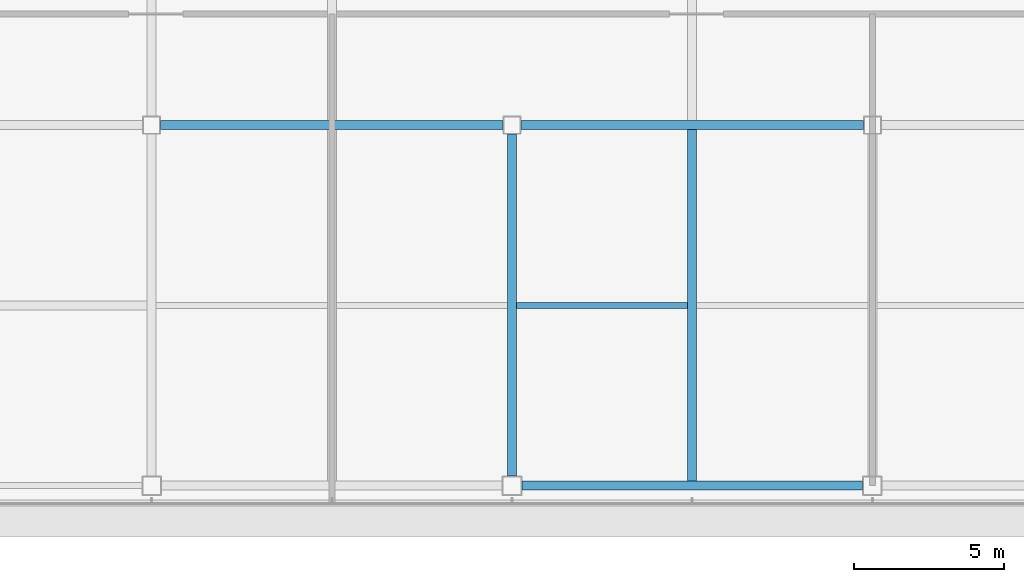
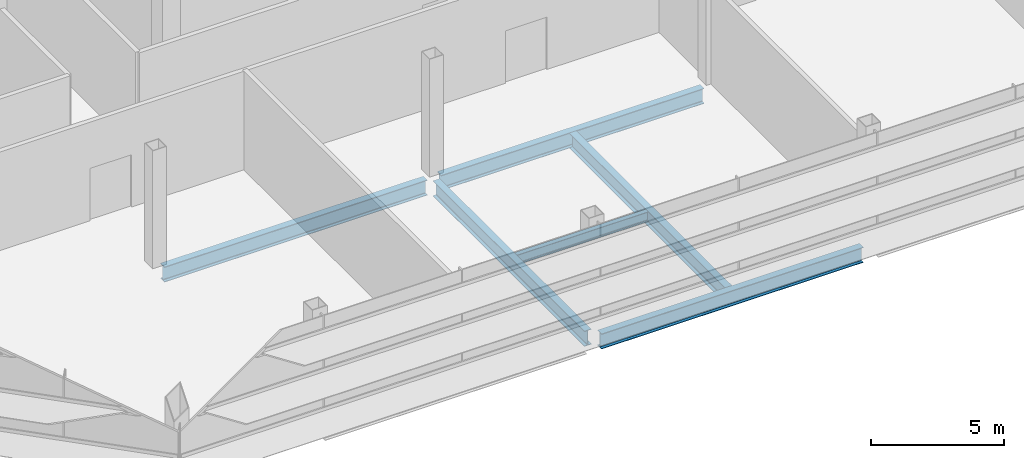
# One storey, part 3 of 25: 6 beams.
"""IFC4 building model written with IfcOpenShell, lengths in metres."""

from ifc_helpers import new_model, si_unit, direction, frame, origin, origin_2d, place, context, subcontext, project, spatial, i_section, extrude, material, material_profile, profile_set, type_object, element, save


model = new_model("IFC4")

# Units and contexts
model_context = context("Model", 3, precision=1e-05, world=origin(), true_north=direction((0.0, 1.0)))
body_context = subcontext(model_context, "Body", "Model", "MODEL_VIEW")
ifc_project = project(units=[si_unit("LENGTHUNIT", "METRE"), si_unit("AREAUNIT", "SQUARE_METRE"), si_unit("VOLUMEUNIT", "CUBIC_METRE"), si_unit("PLANEANGLEUNIT", "RADIAN"), si_unit("MASSUNIT", "GRAM", prefix="KILO")], contexts=[model_context])

# Site, building, storey
site_placement = place(None, origin())
site = spatial("IfcSite", under=ifc_project, at=site_placement, CompositionType="ELEMENT")
building_placement = place(site_placement, origin())
building = spatial("IfcBuilding", under=site, at=building_placement, Name="Sorahane Residences", CompositionType="ELEMENT")
storey_placement = place(building_placement, frame((0.0, 0.0, 210.0)))
storey = spatial("IfcBuildingStorey", under=building, at=storey_placement, Name="L49", CompositionType="ELEMENT", Elevation=210.0)

# Beams
ifc_material_1 = material(Name="Steel Q355B", Category="steel")
ifc_material_profile_1 = material_profile(ifc_material_1, i_section(OverallWidth=0.199951171875, OverallDepth=0.449951171875, WebThickness=0.009033203125, FlangeThickness=0.013916015625, FilletRadius=0.02001953125, at=origin_2d()), Name="HN 450x200x9x14")
ifc_profile_set_1 = profile_set([ifc_material_profile_1], Name="Steel Q355B")
beam_type_1 = type_object("IfcBeamType", Name="Steel floor beam HN 450x200x9x14 Q355B", PredefinedType="BEAM", material=ifc_profile_set_1)
beam_1_placement = place(storey_placement, frame((12.14990234375, 6.0, -0.445068359375), z_axis=(1.0, 0.0, 0.0), x_axis=(0.0, 1.0, 0.0)))
element("IfcBeam", 1, at=beam_1_placement, inside=storey, type_object=beam_type_1, Name="Beam L49 071", PredefinedType="BEAM", context=body_context, shape_type="SweptSolid", body=[
    extrude(i_section(OverallWidth=0.199951171875, OverallDepth=0.449951171875, WebThickness=0.009033203125, FlangeThickness=0.013916015625, FilletRadius=0.02001953125, at=origin_2d()), origin(), (0.0, 0.0, 1.0), 5.7001953125),
])
ifc_material_2 = material(Name="Steel Q355B", Category="steel")
ifc_material_profile_2 = material_profile(ifc_material_2, i_section(OverallWidth=0.300048828125, OverallDepth=0.699951171875, WebThickness=0.012939453125, FlangeThickness=0.02392578125, FilletRadius=0.028076171875, at=origin_2d()), Name="HN 700x300x13x24")
ifc_profile_set_2 = profile_set([ifc_material_profile_2], Name="Steel Q355B")
beam_type_2 = type_object("IfcBeamType", Name="Steel floor beam HN 700x300x13x24 Q355B", PredefinedType="BEAM", material=ifc_profile_set_2)
beam_2_placement = place(storey_placement, frame((12.324951171875, 0.0, -0.570068359375), z_axis=(1.0, 0.0, 0.0), x_axis=(0.0, 1.0, 0.0)))
element("IfcBeam", 2, at=beam_2_placement, inside=storey, type_object=beam_type_2, Name="Beam L49 002", PredefinedType="BEAM", context=body_context, shape_type="SweptSolid", body=[
    extrude(i_section(OverallWidth=0.300048828125, OverallDepth=0.699951171875, WebThickness=0.012939453125, FlangeThickness=0.02392578125, FilletRadius=0.028076171875, at=origin_2d()), origin(), (0.0, 0.0, 1.0), 11.35009765625),
])
for number, where, z_axis, x_axis, name in (
    (3, (0.300048828125, 12.0, -0.570068359375), (1.0, 0.0, 0.0), (0.0, 1.0, 0.0), "Beam L49 006"),
    (4, (12.300048828125, 12.0, -0.570068359375), (1.0, 0.0, 0.0), (0.0, 1.0, 0.0), "Beam L49 007"),
):
    element("IfcBeam", number, at=place(storey_placement, frame(where, z_axis=z_axis, x_axis=x_axis)), inside=storey, type_object=beam_type_2, Name=name, PredefinedType="BEAM", context=body_context, shape_type="SweptSolid", body=[
        extrude(i_section(OverallWidth=0.300048828125, OverallDepth=0.699951171875, WebThickness=0.012939453125, FlangeThickness=0.02392578125, FilletRadius=0.028076171875, at=origin_2d()), origin(), (0.0, 0.0, 1.0), 11.39990234375),
    ])
beam_3_placement = place(storey_placement, frame((12.0, 0.324951171875, -0.570068359375), z_axis=(0.0, 1.0, 0.0), x_axis=(-1.0, 0.0, 0.0)))
element("IfcBeam", 5, at=beam_3_placement, inside=storey, type_object=beam_type_2, Name="Beam L49 034", PredefinedType="BEAM", context=body_context, shape_type="SweptSolid", body=[
    extrude(i_section(OverallWidth=0.300048828125, OverallDepth=0.699951171875, WebThickness=0.012939453125, FlangeThickness=0.02392578125, FilletRadius=0.028076171875, at=origin_2d()), origin(), (0.0, 0.0, 1.0), 11.375),
])
beam_4_placement = place(storey_placement, frame((18.0, 0.14990234375, -0.570068359375), z_axis=(0.0, 1.0, 0.0), x_axis=(-1.0, 0.0, 0.0)))
element("IfcBeam", 6, at=beam_4_placement, inside=storey, type_object=beam_type_2, Name="Beam L49 036", PredefinedType="BEAM", context=body_context, shape_type="SweptSolid", body=[
    extrude(i_section(OverallWidth=0.300048828125, OverallDepth=0.699951171875, WebThickness=0.012939453125, FlangeThickness=0.02392578125, FilletRadius=0.028076171875, at=origin_2d()), origin(), (0.0, 0.0, 1.0), 11.7001953125),
])

save(model, "model.ifc")
